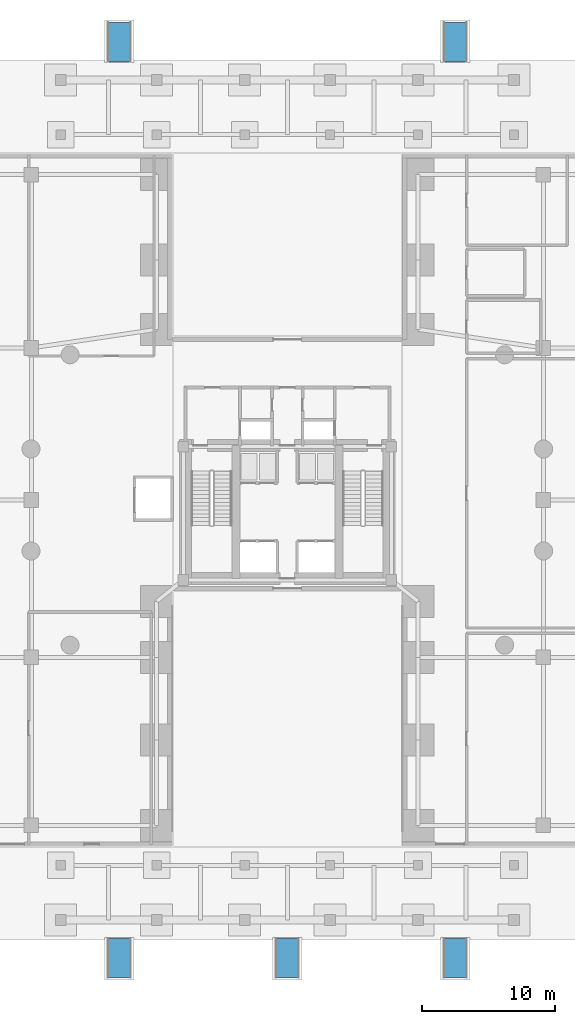
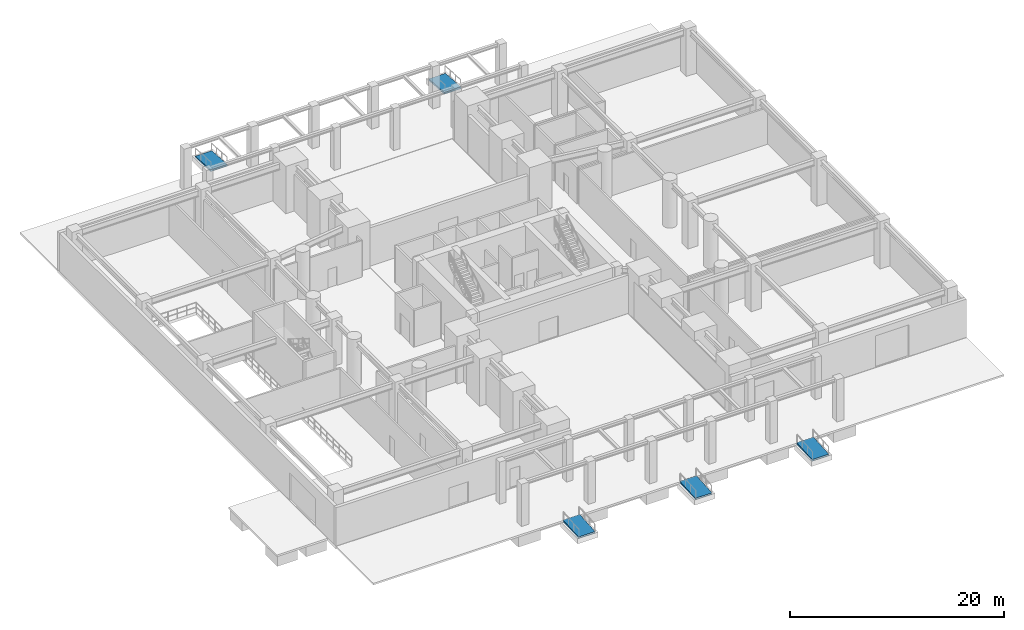
# One storey, part 7 of 11: 5 ramp flights, 5 elements without a shape of their own.
"""IFC4 building model written with IfcOpenShell, lengths in metres."""

from ifc_helpers import new_model, si_unit, direction, frame, origin, place, context, subcontext, project, spatial, polyline, outline, extrude, material, layer, layer_set, type_object, element, aggregate, save


model = new_model("IFC4")

# Units and contexts
model_context = context("Model", 3, precision=1e-05, world=origin(), true_north=direction((0.0, 1.0)))
body_context = subcontext(model_context, "Body", "Model", "MODEL_VIEW")
ifc_project = project(units=[si_unit("LENGTHUNIT", "METRE"), si_unit("AREAUNIT", "SQUARE_METRE"), si_unit("VOLUMEUNIT", "CUBIC_METRE"), si_unit("PLANEANGLEUNIT", "RADIAN"), si_unit("MASSUNIT", "GRAM", prefix="KILO"), si_unit("THERMODYNAMICTEMPERATUREUNIT", "KELVIN"), si_unit("POWERUNIT", "WATT")], contexts=[model_context])

# Site, building, storey
site_placement = place(None, origin())
site = spatial("IfcSite", under=ifc_project, at=site_placement, CompositionType="ELEMENT")
building_placement = place(site_placement, origin())
building = spatial("IfcBuilding", under=site, at=building_placement, Name="Ocrelia Relay Tower", CompositionType="ELEMENT")
storey_placement = place(building_placement, origin())
storey = spatial("IfcBuildingStorey", under=building, at=storey_placement, Name="L00", CompositionType="ELEMENT", Elevation=0.0)

# Ramp, ramp flight
ifc_material = material(Name="Concrete C50/60", Category="concrete")
ramp_type = type_object("IfcRampType", Name="RMP-ACC-1800", PredefinedType="STRAIGHT_RUN_RAMP", material=ifc_material)
ramp_1_placement = place(storey_placement, origin())
ramp_1 = element("IfcRamp", 1, at=ramp_1_placement, inside=storey, type_object=ramp_type, Name="Plaza Step-Free Accessibility Ramp ARP-S1", PredefinedType="STRAIGHT_RUN_RAMP")
ifc_layer = layer(ifc_material, 0.199951171875, Name="Concrete C50/60")
ifc_layer_set = layer_set([ifc_layer], Name="Concrete C50/60")
ramp_flight_type = type_object("IfcRampFlightType", Name="RMP-FLIGHT-ACC", PredefinedType="STRAIGHT", material=ifc_layer_set)
ramp_flight_1_placement = place(storey_placement, frame((20.5, -9.800048828125, -0.199951171875), z_axis=(0.0, -0.068781915851, 0.99763171965), x_axis=(1.0, 0.0, 0.0)))
ramp_flight_1 = element("IfcRampFlight", 2, at=ramp_flight_1_placement, type_object=ramp_flight_type, Name="Accessibility Ramp Flight ARP-S1", PredefinedType="STRAIGHT", context=body_context, shape_type="SweptSolid", body=[
    extrude(outline(polyline([(0.0, 0.0), (1.800048828125, 0.0), (1.800048828125, 2.9070311491222207), (0.0, 2.9070311491222207), (0.0, 0.0)])), origin(), (0.0, 0.0, -1.0), 0.199951171875),
])
aggregate(ramp_1, [ramp_flight_1])

ramp_2_placement = place(storey_placement, origin())
ramp_2 = element("IfcRamp", 3, at=ramp_2_placement, inside=storey, type_object=ramp_type, Name="Plaza Step-Free Accessibility Ramp ARP-S2", PredefinedType="STRAIGHT_RUN_RAMP")
ramp_flight_2_placement = place(storey_placement, frame((45.699951171875, -9.800048828125, -0.199951171875), z_axis=(0.0, -0.068781915851, 0.99763171965), x_axis=(1.0, 0.0, 0.0)))
ramp_flight_2 = element("IfcRampFlight", 4, at=ramp_flight_2_placement, type_object=ramp_flight_type, Name="Accessibility Ramp Flight ARP-S2", PredefinedType="STRAIGHT", context=body_context, shape_type="SweptSolid", body=[
    extrude(outline(polyline([(0.0, 0.0), (1.800048828125, 0.0), (1.800048828125, 2.9070311491222207), (0.0, 2.9070311491222207), (0.0, 0.0)])), origin(), (0.0, 0.0, -1.0), 0.199951171875),
])
aggregate(ramp_2, [ramp_flight_2])

ramp_3_placement = place(storey_placement, origin())
ramp_3 = element("IfcRamp", 5, at=ramp_3_placement, inside=storey, type_object=ramp_type, Name="Plaza Step-Free Accessibility Ramp ARP-N1", PredefinedType="STRAIGHT_RUN_RAMP")
ramp_flight_3_placement = place(storey_placement, frame((20.5, 58.89990234375, 0.0), z_axis=(0.0, 0.068781915851, 0.99763171965), x_axis=(1.0, 0.0, 0.0)))
ramp_flight_3 = element("IfcRampFlight", 6, at=ramp_flight_3_placement, type_object=ramp_flight_type, Name="Accessibility Ramp Flight ARP-N1", PredefinedType="STRAIGHT", context=body_context, shape_type="SweptSolid", body=[
    extrude(outline(polyline([(0.0, 0.0), (1.800048828125, 0.0), (1.800048828125, 2.9070311491222207), (0.0, 2.9070311491222207), (0.0, 0.0)])), origin(), (0.0, 0.0, -1.0), 0.199951171875),
])
aggregate(ramp_3, [ramp_flight_3])

ramp_4_placement = place(storey_placement, origin())
ramp_4 = element("IfcRamp", 7, at=ramp_4_placement, inside=storey, type_object=ramp_type, Name="Plaza Step-Free Accessibility Ramp ARP-N2", PredefinedType="STRAIGHT_RUN_RAMP")
ramp_flight_4_placement = place(storey_placement, frame((45.699951171875, 58.89990234375, 0.0), z_axis=(0.0, 0.068781915851, 0.99763171965), x_axis=(1.0, 0.0, 0.0)))
ramp_flight_4 = element("IfcRampFlight", 8, at=ramp_flight_4_placement, type_object=ramp_flight_type, Name="Accessibility Ramp Flight ARP-N2", PredefinedType="STRAIGHT", context=body_context, shape_type="SweptSolid", body=[
    extrude(outline(polyline([(0.0, 0.0), (1.800048828125, 0.0), (1.800048828125, 2.9070311491222207), (0.0, 2.9070311491222207), (0.0, 0.0)])), origin(), (0.0, 0.0, -1.0), 0.199951171875),
])
aggregate(ramp_4, [ramp_flight_4])

ramp_5_placement = place(storey_placement, origin())
ramp_5 = element("IfcRamp", 9, at=ramp_5_placement, inside=storey, type_object=ramp_type, Name="Plaza Step-Free Accessibility Ramp ARP-S3", PredefinedType="STRAIGHT_RUN_RAMP")
ramp_flight_5_placement = place(storey_placement, frame((33.10009765625, -9.800048828125, -0.199951171875), z_axis=(0.0, -0.068781915851, 0.99763171965), x_axis=(1.0, 0.0, 0.0)))
ramp_flight_5 = element("IfcRampFlight", 10, at=ramp_flight_5_placement, type_object=ramp_flight_type, Name="Accessibility Ramp Flight ARP-S3", PredefinedType="STRAIGHT", context=body_context, shape_type="SweptSolid", body=[
    extrude(outline(polyline([(0.0, 0.0), (1.7998046875, 0.0), (1.7998046875, 2.907031149122221), (0.0, 2.907031149122221), (0.0, 0.0)])), origin(), (0.0, 0.0, -1.0), 0.199951171875),
])
aggregate(ramp_5, [ramp_flight_5])

save(model, "model.ifc")
